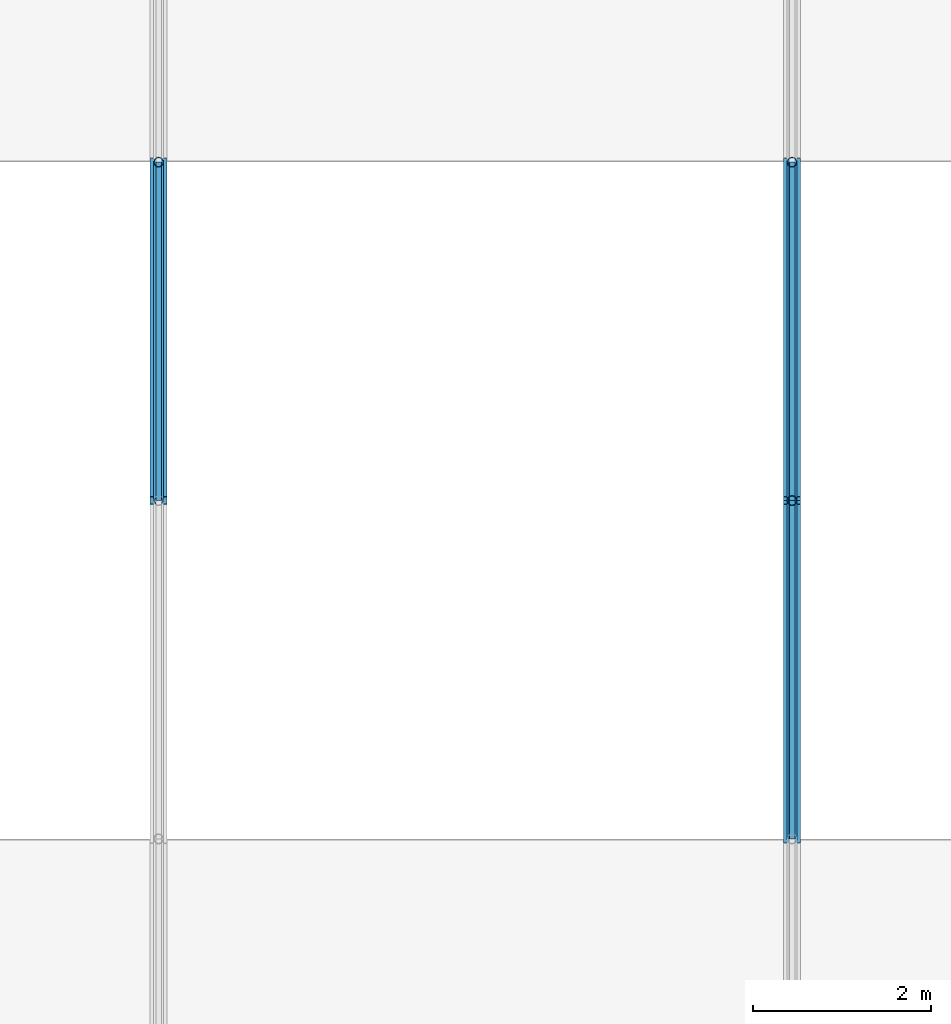
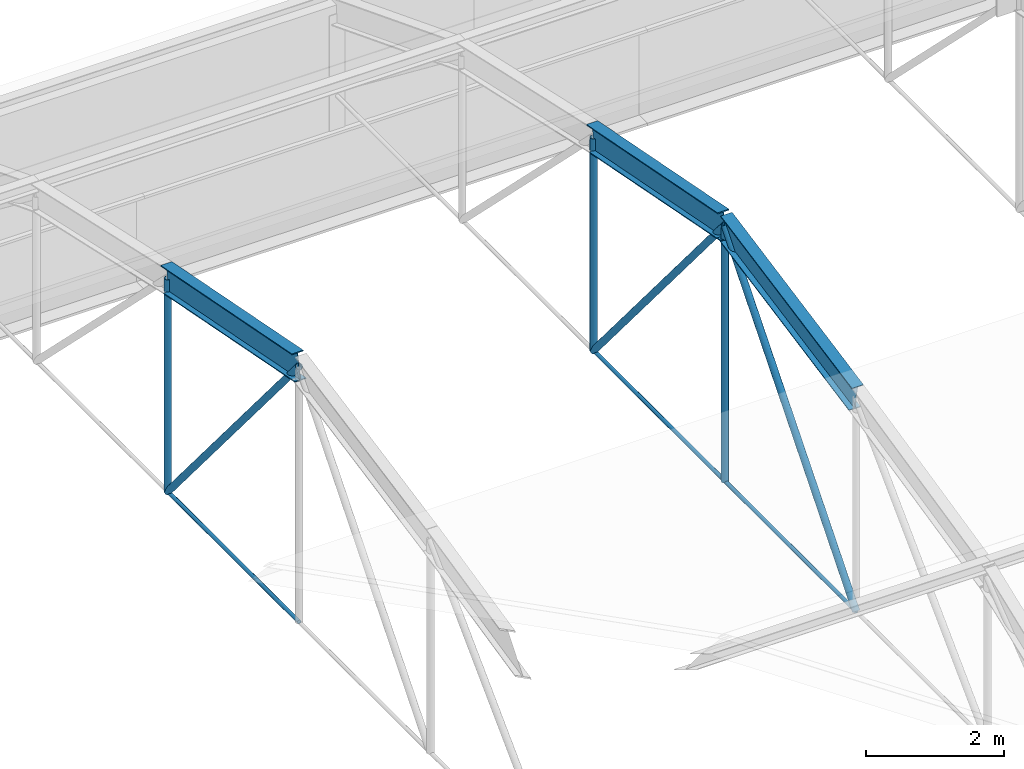
# One storey, part 13 of 53: 9 members, 3 beams.
"""IFC4 building model written with IfcOpenShell, lengths in metres."""

from ifc_helpers import new_model, si_unit, direction, frame, origin_with_axes, origin_2d_with_axis, place, context, subcontext, project, spatial, circle, hollow_circle, i_section, extrude, material, material_profile, profile_set, type_object, element, save


model = new_model("IFC4")

# Units and contexts
model_context = context("Model", 3, precision=1e-05, world=origin_with_axes(), true_north=direction((0.0, 1.0)))
body_context = subcontext(model_context, "Body", "Model", "MODEL_VIEW")
ifc_project = project(units=[si_unit("LENGTHUNIT", "METRE"), si_unit("AREAUNIT", "SQUARE_METRE"), si_unit("VOLUMEUNIT", "CUBIC_METRE"), si_unit("PLANEANGLEUNIT", "RADIAN"), si_unit("MASSUNIT", "GRAM", prefix="KILO"), si_unit("THERMODYNAMICTEMPERATUREUNIT", "KELVIN")], contexts=[model_context])

# Site, building, storey
site_placement = place(None, origin_with_axes())
site = spatial("IfcSite", under=ifc_project, at=site_placement, CompositionType="ELEMENT")
building_placement = place(site_placement, origin_with_axes())
building = spatial("IfcBuilding", under=site, at=building_placement, Name="Montbau Bow Law Courts", CompositionType="ELEMENT")
storey_placement = place(building_placement, frame((0.0, 0.0, 39.0), z_axis=(0.0, 0.0, 1.0), x_axis=(1.0, 0.0, 0.0)))
storey = spatial("IfcBuildingStorey", under=building, at=storey_placement, Name="L08", CompositionType="ELEMENT", Elevation=39.0)

# Beams
ifc_material = material(Name="Steel CSA G40.21 Grade 350WT (350 MPa)", Category="steel")
ifc_material_profile_1 = material_profile(ifc_material, i_section(OverallWidth=0.191, OverallDepth=0.46, WebThickness=0.0099, FlangeThickness=0.016, at=origin_2d_with_axis()), Name="W460X82", Category="Main", Priority=0)
ifc_profile_set_1 = profile_set([ifc_material_profile_1], Name="Steel CSA G40.21 Grade 350WT (350 MPa)")
beam_type = type_object("IfcBeamType", Name="B-ARC-02", PredefinedType="USERDEFINED", material=ifc_profile_set_1)
for number, where, z_axis, x_axis, name in (
    (1, (76.543, 50.4, 43.765), (0.0, 0.981513084, -0.191395051), (-1.0, 0.0, 0.0), "Barrel vault roof truss arch rib V3-118"),
    (2, (83.657, 46.6, 43.024), (0.0, 0.981513084, 0.191395051), (-1.0, 0.0, 0.0), "Barrel vault roof truss arch rib V3-123"),
    (3, (83.657, 50.4, 43.765), (0.0, 0.981513084, -0.191395051), (-1.0, 0.0, 0.0), "Barrel vault roof truss arch rib V3-124"),
):
    element("IfcBeam", number, at=place(None, frame(where, z_axis=z_axis, x_axis=x_axis)), inside=storey, type_object=beam_type, Name=name, ObjectType="ARCH_RIB", PredefinedType="USERDEFINED", context=body_context, shape_type="SweptSolid", body=[
        extrude(i_section(OverallWidth=0.191, OverallDepth=0.46, WebThickness=0.0099, FlangeThickness=0.016, at=origin_2d_with_axis()), origin_with_axes(), (0.0, 0.0, 1.0), 3.871573),
    ])

# Members
ifc_material_profile_2 = material_profile(ifc_material, hollow_circle(Radius=0.057, WallThickness=0.008, at=origin_2d_with_axis()), Name="HSS114X8.0", Category="Main", Priority=0)
ifc_profile_set_2 = profile_set([ifc_material_profile_2], Name="Steel CSA G40.21 Grade 350WT (350 MPa)")
member_type_1 = type_object("IfcMemberType", Name="M-STR-03", PredefinedType="STRUT", material=ifc_profile_set_2)
member_1_placement = place(None, frame((76.543, 50.4, 43.765), z_axis=(0.0, 0.643926993, -0.765086941), x_axis=(-1.0, 0.0, 0.0)))
element("IfcMember", 4, at=member_1_placement, inside=storey, type_object=member_type_1, Name="Barrel vault roof truss web diagonal V3-04-4", PredefinedType="STRUT", context=body_context, shape_type="SweptSolid", body=[
    extrude(hollow_circle(Radius=0.057, WallThickness=0.008, at=origin_2d_with_axis()), origin_with_axes(), (0.0, 0.0, 1.0), 5.90129),
])
member_2_placement = place(None, frame((76.543, 54.2, 39.25), z_axis=(0.0, 0.0, 1.0), x_axis=(1.0, 0.0, 0.0)))
element("IfcMember", 5, at=member_2_placement, inside=storey, type_object=member_type_1, Name="Barrel vault roof truss web post V3-04-4", PredefinedType="STRUT", context=body_context, shape_type="SweptSolid", body=[
    extrude(hollow_circle(Radius=0.057, WallThickness=0.008, at=origin_2d_with_axis()), origin_with_axes(), (0.0, 0.0, 1.0), 3.774),
])
for number, where, z_axis, x_axis, name in (
    (6, (83.657, 46.6, 39.25), (0.0, 0.643926993, 0.765086941), (-1.0, 0.0, 0.0), "Barrel vault roof truss web diagonal V3-05-3"),
    (7, (83.657, 50.4, 43.765), (0.0, 0.643926993, -0.765086941), (-1.0, 0.0, 0.0), "Barrel vault roof truss web diagonal V3-05-4"),
):
    element("IfcMember", number, at=place(None, frame(where, z_axis=z_axis, x_axis=x_axis)), inside=storey, type_object=member_type_1, Name=name, PredefinedType="STRUT", context=body_context, shape_type="SweptSolid", body=[
        extrude(hollow_circle(Radius=0.057, WallThickness=0.008, at=origin_2d_with_axis()), origin_with_axes(), (0.0, 0.0, 1.0), 5.90129),
    ])
member_3_placement = place(None, frame((83.657, 50.4, 39.25), z_axis=(0.0, 0.0, 1.0), x_axis=(1.0, 0.0, 0.0)))
element("IfcMember", 8, at=member_3_placement, inside=storey, type_object=member_type_1, Name="Barrel vault roof truss web post V3-05-3", PredefinedType="STRUT", context=body_context, shape_type="SweptSolid", body=[
    extrude(hollow_circle(Radius=0.057, WallThickness=0.008, at=origin_2d_with_axis()), origin_with_axes(), (0.0, 0.0, 1.0), 4.515),
])
member_4_placement = place(None, frame((83.657, 54.2, 39.25), z_axis=(0.0, 0.0, 1.0), x_axis=(1.0, 0.0, 0.0)))
element("IfcMember", 9, at=member_4_placement, inside=storey, type_object=member_type_1, Name="Barrel vault roof truss web post V3-05-4", PredefinedType="STRUT", context=body_context, shape_type="SweptSolid", body=[
    extrude(hollow_circle(Radius=0.057, WallThickness=0.008, at=origin_2d_with_axis()), origin_with_axes(), (0.0, 0.0, 1.0), 3.774),
])
ifc_material_profile_3 = material_profile(ifc_material, circle(Radius=0.032, at=origin_2d_with_axis()), Name="ROD64", Category="Main", Priority=0)
ifc_profile_set_3 = profile_set([ifc_material_profile_3], Name="Steel CSA G40.21 Grade 350WT (350 MPa)")
member_type_2 = type_object("IfcMemberType", Name="M-TIE-02", PredefinedType="USERDEFINED", material=ifc_profile_set_3)
for number, where, z_axis, x_axis, name in (
    (10, (76.543, 50.4, 39.25), (0.0, 1.0, 0.0), (-1.0, 0.0, 0.0), "Barrel vault roof truss tie V3-118"),
    (11, (83.657, 46.6, 39.25), (0.0, 1.0, 0.0), (-1.0, 0.0, 0.0), "Barrel vault roof truss tie V3-123"),
    (12, (83.657, 50.4, 39.25), (0.0, 1.0, 0.0), (-1.0, 0.0, 0.0), "Barrel vault roof truss tie V3-124"),
):
    element("IfcMember", number, at=place(None, frame(where, z_axis=z_axis, x_axis=x_axis)), inside=storey, type_object=member_type_2, Name=name, ObjectType="TIEBAR", PredefinedType="USERDEFINED", context=body_context, shape_type="SweptSolid", body=[
        extrude(circle(Radius=0.032, at=origin_2d_with_axis()), origin_with_axes(), (0.0, 0.0, 1.0), 3.8),
    ])

save(model, "model.ifc")
